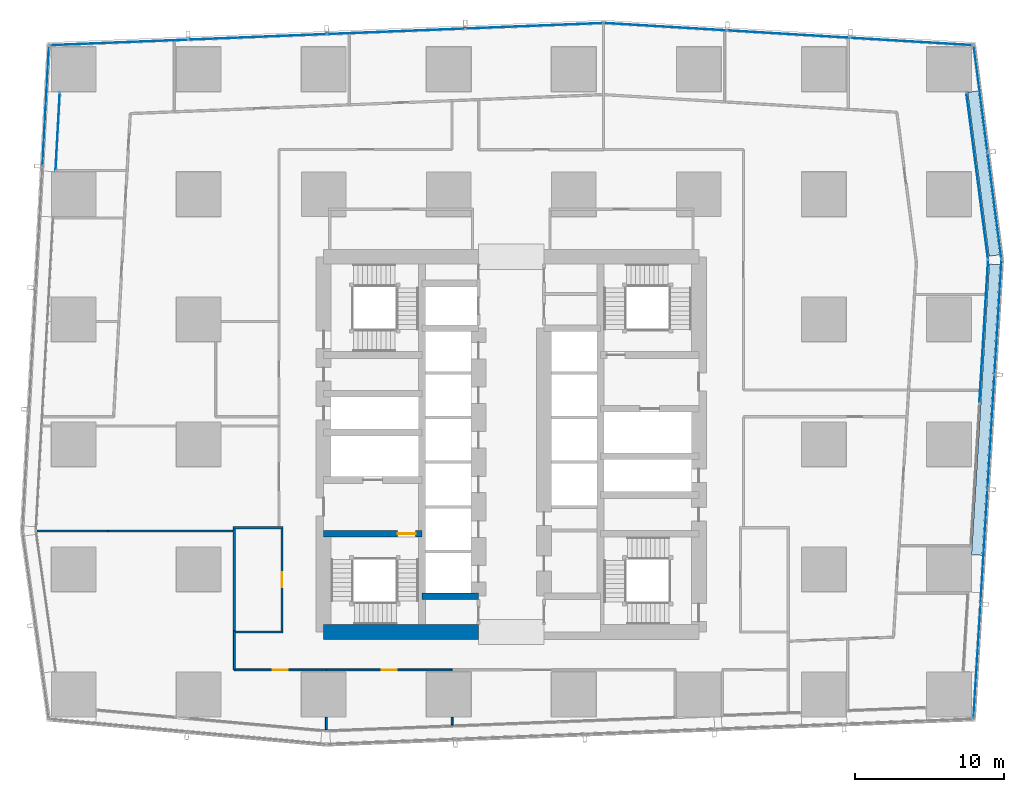
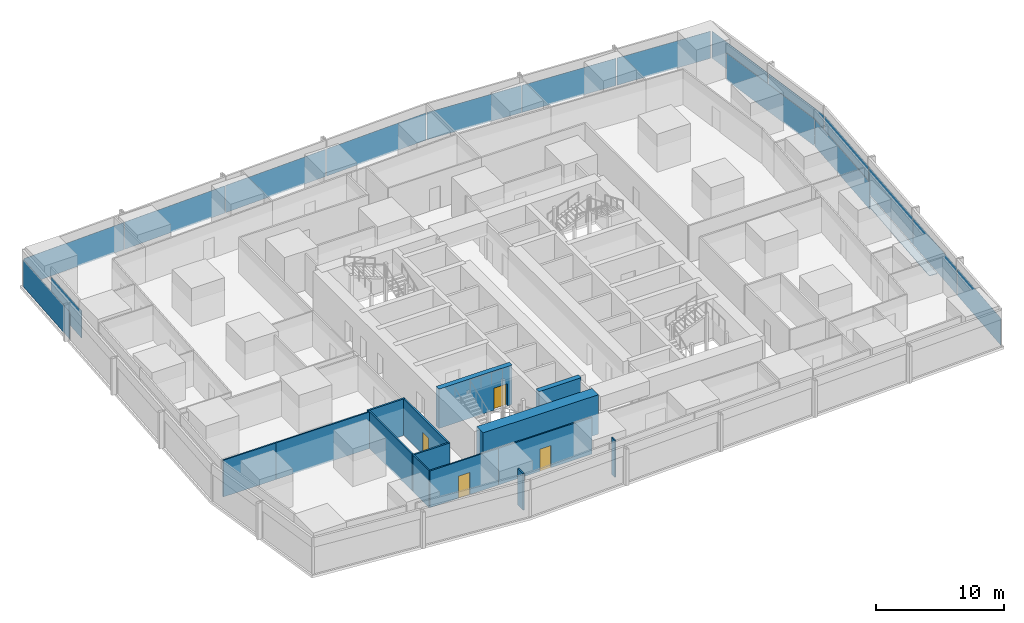
# One storey, part 28 of 39: 19 plates, 14 walls, 4 doors, 4 openings, 8 elements without a shape of their own.
"""IFC4 building model written with IfcOpenShell, lengths in metres."""

from ifc_helpers import new_model, si_unit, direction, frame, frame_2d, origin, origin_2d, place, context, subcontext, project, spatial, rectangle, extrude, material, layer, layer_set, type_object, element, fill, aggregate, save


model = new_model("IFC4")

# Units and contexts
model_context = context("Model", 3, precision=1e-05, world=origin(), true_north=direction((0.0, 1.0)))
body_context = subcontext(model_context, "Body", "Model", "MODEL_VIEW")
ifc_project = project(units=[si_unit("LENGTHUNIT", "METRE"), si_unit("AREAUNIT", "SQUARE_METRE"), si_unit("VOLUMEUNIT", "CUBIC_METRE"), si_unit("PLANEANGLEUNIT", "RADIAN"), si_unit("MASSUNIT", "GRAM", prefix="KILO")], contexts=[model_context])

# Site, building, storey
site_placement = place(None, origin())
site = spatial("IfcSite", under=ifc_project, at=site_placement, CompositionType="ELEMENT")
building_placement = place(site_placement, origin())
building = spatial("IfcBuilding", under=site, at=building_placement, Name="Rekha Terrace Tower", CompositionType="ELEMENT")
storey_placement = place(building_placement, frame((0.0, 0.0, 155.300048828125)))
storey = spatial("IfcBuildingStorey", under=building, at=storey_placement, Name="L39", CompositionType="ELEMENT", Elevation=155.300048828125)

# Curtain wall, plate
ifc_material_1 = material(Name="Aluminium framing", Category="aluminium")
curtain_wall_type_1 = type_object("IfcCurtainWallType", Name="CW1 double skin inner glazing", PredefinedType="USERDEFINED", material=ifc_material_1)
curtain_wall_1_placement = place(storey_placement, origin())
curtain_wall_1 = element("IfcCurtainWall", 1, at=curtain_wall_1_placement, inside=storey, type_object=curtain_wall_type_1, Name="CW1 double skin inner glazing", ObjectType="DOUBLE SKIN INNER GLAZING", PredefinedType="USERDEFINED")
ifc_material_2 = material(Name="Double-glazed low-e unit 32", Category="glass")
ifc_layer_1 = layer(ifc_material_2, 0.031982421875)
ifc_layer_set_1 = layer_set([ifc_layer_1], Name="Double-glazed low-e unit 32")
plate_type_1 = type_object("IfcPlateType", Name="CW1 jumbo vision panel, double-glazed low-e unit 32", PredefinedType="CURTAIN_PANEL", material=ifc_layer_set_1)
plate_1_placement = place(storey_placement, frame((69.5419921875, 41.175537109375, 0.0), z_axis=(0.0, 0.0, 1.0), x_axis=(0.061159803148, 0.998127987023, 0.0)))
plate_1 = element("IfcPlate", 2, at=plate_1_placement, type_object=plate_type_1, Name="CW1 panel 2.1", PredefinedType="CURTAIN_PANEL", context=body_context, shape_type="SweptSolid", body=[
    extrude(rectangle(XDim=9.610107421875, YDim=0.031982421875, at=origin_2d()), origin(), (0.0, 0.0, 1.0), 2.60009765625),
])
aggregate(curtain_wall_1, [plate_1])

curtain_wall_2_placement = place(storey_placement, origin())
curtain_wall_2 = element("IfcCurtainWall", 3, at=curtain_wall_2_placement, inside=storey, type_object=curtain_wall_type_1, Name="CW1 double skin inner glazing", ObjectType="DOUBLE SKIN INNER GLAZING", PredefinedType="USERDEFINED")
plate_2_placement = place(storey_placement, frame((69.100341796875, 51.619873046875, 0.0), z_axis=(0.0, 0.0, 1.0), x_axis=(-0.129118383641, 0.991629186242, 0.0)))
plate_2 = element("IfcPlate", 4, at=plate_2_placement, type_object=plate_type_1, Name="CW1 panel 1.1", PredefinedType="CURTAIN_PANEL", context=body_context, shape_type="SweptSolid", body=[
    extrude(rectangle(XDim=11.26171875, YDim=0.031982421875, at=origin_2d()), origin(), (0.0, 0.0, 1.0), 2.60009765625),
])
aggregate(curtain_wall_2, [plate_2])

curtain_wall_3_placement = place(storey_placement, origin())
curtain_wall_3 = element("IfcCurtainWall", 5, at=curtain_wall_3_placement, inside=storey, type_object=curtain_wall_type_1, Name="CW1 double skin inner glazing", ObjectType="DOUBLE SKIN INNER GLAZING", PredefinedType="USERDEFINED")
plate_3_placement = place(storey_placement, frame((7.332763671875, 54.60009765625, 0.0), z_axis=(0.0, 0.0, 1.0), x_axis=(-0.054742352777, -0.998500513176, 0.0)))
plate_3 = element("IfcPlate", 6, at=plate_3_placement, type_object=plate_type_1, Name="CW1 panel 1.1", PredefinedType="CURTAIN_PANEL", context=body_context, shape_type="SweptSolid", body=[
    extrude(rectangle(XDim=5.227783203125, YDim=0.031982421875, at=origin_2d()), origin(), (0.0, 0.0, 1.0), 2.60009765625),
])
aggregate(curtain_wall_3, [plate_3])

# Curtain wall, plates
curtain_wall_type_2 = type_object("IfcCurtainWallType", Name="CW2 double skin outer glazing", PredefinedType="USERDEFINED", material=ifc_material_1)
curtain_wall_4_placement = place(storey_placement, origin())
curtain_wall_4 = element("IfcCurtainWall", 7, at=curtain_wall_4_placement, inside=storey, type_object=curtain_wall_type_2, Name="CW2 double skin outer glazing", ObjectType="DOUBLE SKIN OUTER GLAZING", PredefinedType="USERDEFINED")
ifc_material_3 = material(Name="Toughened single glazing 12", Category="glass")
ifc_layer_2 = layer(ifc_material_3, 0.011962890625)
ifc_layer_set_2 = layer_set([ifc_layer_2], Name="Toughened single glazing 12")
plate_type_2 = type_object("IfcPlateType", Name="CW2 jumbo vision panel, toughened single glazing 12", PredefinedType="CURTAIN_PANEL", material=ifc_layer_set_2)
plate_4_placement = place(storey_placement, frame((69.086669921875, 19.0302734375, 0.0), z_axis=(0.0, 0.0, 1.0), x_axis=(0.061159803131, 0.998127987024, 0.0)))
plate_4 = element("IfcPlate", 8, at=plate_4_placement, type_object=plate_type_2, Name="CW2 panel 1.1", PredefinedType="CURTAIN_PANEL", context=body_context, shape_type="SweptSolid", body=[
    extrude(rectangle(XDim=7.6064453125, YDim=0.011962890625, at=origin_2d()), origin(), (0.0, 0.0, 1.0), 2.60009765625),
])
plate_5_placement = place(storey_placement, frame((69.557861328125, 26.722412109375, 0.0), z_axis=(0.0, 0.0, 1.0), x_axis=(0.061159803131, 0.998127987024, 0.0)))
plate_5 = element("IfcPlate", 9, at=plate_5_placement, type_object=plate_type_2, Name="CW2 panel 2.1", PredefinedType="CURTAIN_PANEL", context=body_context, shape_type="SweptSolid", body=[
    extrude(rectangle(XDim=7.646484375, YDim=0.011962890625, at=origin_2d()), origin(), (0.0, 0.0, 1.0), 2.60009765625),
])
plate_6_placement = place(storey_placement, frame((70.030517578125, 34.434326171875, 0.0), z_axis=(0.0, 0.0, 1.0), x_axis=(0.061159803131, 0.998127987024, 0.0)))
plate_6 = element("IfcPlate", 10, at=plate_6_placement, type_object=plate_type_2, Name="CW2 panel 3.1", PredefinedType="CURTAIN_PANEL", context=body_context, shape_type="SweptSolid", body=[
    extrude(rectangle(XDim=7.646484375, YDim=0.011962890625, at=origin_2d()), origin(), (0.0, 0.0, 1.0), 2.60009765625),
])
plate_7_placement = place(storey_placement, frame((70.50439453125, 42.16650390625, 0.0), z_axis=(0.0, 0.0, 1.0), x_axis=(0.061159803131, 0.998127987024, 0.0)))
plate_7 = element("IfcPlate", 11, at=plate_7_placement, type_object=plate_type_2, Name="CW2 panel 4.1", PredefinedType="CURTAIN_PANEL", context=body_context, shape_type="SweptSolid", body=[
    extrude(rectangle(XDim=7.6865234375, YDim=0.011962890625, at=origin_2d()), origin(), (0.0, 0.0, 1.0), 2.60009765625),
])
aggregate(curtain_wall_4, [plate_4, plate_5, plate_6, plate_7])

curtain_wall_5_placement = place(storey_placement, origin())
curtain_wall_5 = element("IfcCurtainWall", 12, at=curtain_wall_5_placement, inside=storey, type_object=curtain_wall_type_2, Name="CW2 double skin outer glazing", ObjectType="DOUBLE SKIN OUTER GLAZING", PredefinedType="USERDEFINED")
plate_8_placement = place(storey_placement, frame((70.2666015625, 49.6337890625, 0.0), z_axis=(0.0, 0.0, 1.0), x_axis=(-0.129118383623, 0.991629186244, 0.0)))
plate_8 = element("IfcPlate", 13, at=plate_8_placement, type_object=plate_type_2, Name="CW2 panel 1.1", PredefinedType="CURTAIN_PANEL", context=body_context, shape_type="SweptSolid", body=[
    extrude(rectangle(XDim=7.163818359375, YDim=0.011962890625, at=origin_2d()), origin(), (0.0, 0.0, 1.0), 2.60009765625),
])
plate_9_placement = place(storey_placement, frame((69.331298828125, 56.81689453125, 0.0), z_axis=(0.0, 0.0, 1.0), x_axis=(-0.129118383623, 0.991629186244, 0.0)))
plate_9 = element("IfcPlate", 14, at=plate_9_placement, type_object=plate_type_2, Name="CW2 panel 2.1", PredefinedType="CURTAIN_PANEL", context=body_context, shape_type="SweptSolid", body=[
    extrude(rectangle(XDim=7.163818359375, YDim=0.011962890625, at=origin_2d()), origin(), (0.0, 0.0, 1.0), 2.60009765625),
])
aggregate(curtain_wall_5, [plate_8, plate_9])

# Curtain wall, plate
curtain_wall_6_placement = place(storey_placement, origin())
curtain_wall_6 = element("IfcCurtainWall", 15, at=curtain_wall_6_placement, inside=storey, type_object=curtain_wall_type_2, Name="CW2 double skin outer glazing", ObjectType="DOUBLE SKIN OUTER GLAZING", PredefinedType="USERDEFINED")
plate_10_placement = place(storey_placement, frame((6.52685546875, 56.342041015625, 0.0), z_axis=(0.0, 0.0, 1.0), x_axis=(-0.054742352707, -0.99850051318, 0.0)))
plate_10 = element("IfcPlate", 16, at=plate_10_placement, type_object=plate_type_2, Name="CW2 panel 1.1", PredefinedType="CURTAIN_PANEL", context=body_context, shape_type="SweptSolid", body=[
    extrude(rectangle(XDim=8.06005859375, YDim=0.011962890625, at=origin_2d()), origin(), (0.0, 0.0, 1.0), 2.60009765625),
])
aggregate(curtain_wall_6, [plate_10])

# Curtain wall, plates
curtain_wall_type_3 = type_object("IfcCurtainWallType", Name="CW3 north unitised glazing", PredefinedType="USERDEFINED", material=ifc_material_1)
curtain_wall_7_placement = place(storey_placement, origin())
curtain_wall_7 = element("IfcCurtainWall", 17, at=curtain_wall_7_placement, inside=storey, type_object=curtain_wall_type_3, Name="CW3 unitised curtain wall", ObjectType="UNITISED CURTAIN WALL", PredefinedType="USERDEFINED")
ifc_material_4 = material(Name="Double-glazed unit 28", Category="glass")
ifc_layer_3 = layer(ifc_material_4, 0.028076171875)
ifc_layer_set_3 = layer_set([ifc_layer_3], Name="Double-glazed unit 28")
plate_type_3 = type_object("IfcPlateType", Name="CW3 jumbo vision panel, double-glazed unit 28", PredefinedType="CURTAIN_PANEL", material=ifc_layer_set_3)
plate_11_placement = place(storey_placement, frame((64.6748046875, 60.65966796875, 0.0), z_axis=(0.0, 0.0, 1.0), x_axis=(-0.998199102701, 0.059987926837, 0.0)))
plate_11 = element("IfcPlate", 18, at=plate_11_placement, type_object=plate_type_3, Name="CW3 panel 1.1", PredefinedType="CURTAIN_PANEL", context=body_context, shape_type="SweptSolid", body=[
    extrude(rectangle(XDim=8.171630859375, YDim=0.028076171875, at=origin_2d()), origin(), (0.0, 0.0, 1.0), 2.60009765625),
])
plate_12_placement = place(storey_placement, frame((56.430419921875, 61.155029296875, 0.0), z_axis=(0.0, 0.0, 1.0), x_axis=(-0.998199102701, 0.059987926837, 0.0)))
plate_12 = element("IfcPlate", 19, at=plate_12_placement, type_object=plate_type_3, Name="CW3 panel 2.1", PredefinedType="CURTAIN_PANEL", context=body_context, shape_type="SweptSolid", body=[
    extrude(rectangle(XDim=8.20654296875, YDim=0.028076171875, at=origin_2d()), origin(), (0.0, 0.0, 1.0), 2.60009765625),
])
plate_13_placement = place(storey_placement, frame((48.1513671875, 61.652587890625, 0.0), z_axis=(0.0, 0.0, 1.0), x_axis=(-0.998199102701, 0.059987926837, 0.0)))
plate_13 = element("IfcPlate", 20, at=plate_13_placement, type_object=plate_type_3, Name="CW3 panel 3.1", PredefinedType="CURTAIN_PANEL", context=body_context, shape_type="SweptSolid", body=[
    extrude(rectangle(XDim=8.24169921875, YDim=0.028076171875, at=origin_2d()), origin(), (0.0, 0.0, 1.0), 2.60009765625),
])
aggregate(curtain_wall_7, [plate_11, plate_12, plate_13])

curtain_wall_8_placement = place(storey_placement, origin())
curtain_wall_8 = element("IfcCurtainWall", 21, at=curtain_wall_8_placement, inside=storey, type_object=curtain_wall_type_3, Name="CW3 unitised curtain wall", ObjectType="UNITISED CURTAIN WALL", PredefinedType="USERDEFINED")
plate_14_placement = place(storey_placement, frame((39.364501953125, 61.71240234375, 0.0), z_axis=(0.0, 0.0, 1.0), x_axis=(-0.999198398721, -0.040031987119, 0.0)))
plate_14 = element("IfcPlate", 22, at=plate_14_placement, type_object=plate_type_3, Name="CW3 panel 1.1", PredefinedType="CURTAIN_PANEL", context=body_context, shape_type="SweptSolid", body=[
    extrude(rectangle(XDim=9.214599609375, YDim=0.028076171875, at=origin_2d()), origin(), (0.0, 0.0, 1.0), 2.60009765625),
])
plate_15_placement = place(storey_placement, frame((30.06982421875, 61.340087890625, 0.0), z_axis=(0.0, 0.0, 1.0), x_axis=(-0.999198398721, -0.040031987119, 0.0)))
plate_15 = element("IfcPlate", 23, at=plate_15_placement, type_object=plate_type_3, Name="CW3 panel 2.1", PredefinedType="CURTAIN_PANEL", context=body_context, shape_type="SweptSolid", body=[
    extrude(rectangle(XDim=9.24951171875, YDim=0.028076171875, at=origin_2d()), origin(), (0.0, 0.0, 1.0), 2.60009765625),
])
plate_16_placement = place(storey_placement, frame((20.7578125, 60.967041015625, 0.0), z_axis=(0.0, 0.0, 1.0), x_axis=(-0.999198398721, -0.040031987119, 0.0)))
plate_16 = element("IfcPlate", 24, at=plate_16_placement, type_object=plate_type_3, Name="CW3 panel 3.1", PredefinedType="CURTAIN_PANEL", context=body_context, shape_type="SweptSolid", body=[
    extrude(rectangle(XDim=9.24951171875, YDim=0.028076171875, at=origin_2d()), origin(), (0.0, 0.0, 1.0), 2.60009765625),
])
plate_17_placement = place(storey_placement, frame((11.46337890625, 60.5947265625, 0.0), z_axis=(0.0, 0.0, 1.0), x_axis=(-0.999198398721, -0.040031987119, 0.0)))
plate_17 = element("IfcPlate", 25, at=plate_17_placement, type_object=plate_type_3, Name="CW3 panel 4.1", PredefinedType="CURTAIN_PANEL", context=body_context, shape_type="SweptSolid", body=[
    extrude(rectangle(XDim=9.214599609375, YDim=0.028076171875, at=origin_2d()), origin(), (0.0, 0.0, 1.0), 2.60009765625),
])
aggregate(curtain_wall_8, [plate_14, plate_15, plate_16, plate_17])

# Plates
ifc_material_5 = material(Name="Galvanised steel open grating", Category="steel")
ifc_layer_4 = layer(ifc_material_5, 0.050048828125)
ifc_layer_set_4 = layer_set([ifc_layer_4], Name="Galvanised steel open grating")
plate_type_4 = type_object("IfcPlateType", Name="GT1 cavity walkway grating 50", PredefinedType="USERDEFINED", material=ifc_layer_set_4)
plate_18_placement = place(storey_placement, frame((69.671142578125, 35.9267578125, 0.0), z_axis=(0.0, 0.0, 1.0), x_axis=(0.061159803131, 0.998127987024, 0.0)))
element("IfcPlate", 26, at=plate_18_placement, inside=storey, type_object=plate_type_4, Name="Cavity walkway grating", ObjectType="CAVITY WALKWAY GRATING", PredefinedType="USERDEFINED", context=body_context, shape_type="SweptSolid", body=[
    extrude(rectangle(XDim=19.55859375, YDim=0.705078125, at=origin_2d()), origin(), (0.0, 0.0, 1.0), 0.050048828125),
])
plate_19_placement = place(storey_placement, frame((69.531982421875, 51.789794921875, 0.0), z_axis=(0.0, 0.0, 1.0), x_axis=(-0.129118383623, 0.991629186244, 0.0)))
element("IfcPlate", 27, at=plate_19_placement, inside=storey, type_object=plate_type_4, Name="Cavity walkway grating", ObjectType="CAVITY WALKWAY GRATING", PredefinedType="USERDEFINED", context=body_context, shape_type="SweptSolid", body=[
    extrude(rectangle(XDim=11.103271484375, YDim=0.705078125, at=origin_2d()), origin(), (0.0, 0.0, 1.0), 0.050048828125),
])

# Wall
ifc_material_6 = material(Name="Concrete M70", Category="concrete")
ifc_layer_5 = layer(ifc_material_6, 0.449951171875)
ifc_layer_set_5 = layer_set([ifc_layer_5], Name="Concrete M70")
wall_type_1 = type_object("IfcWallType", Name="CI2 450 core internal shear wall", PredefinedType="SHEAR", material=ifc_layer_set_5)
wall_1_placement = place(storey_placement, frame((31.800048828125, 23.39990234375, 0.0), z_axis=(0.0, 0.0, 1.0), x_axis=(1.0, 0.0, 0.0)))
element("IfcWall", 28, at=wall_1_placement, inside=storey, type_object=wall_type_1, Name="Core wall Y234W L39", PredefinedType="SHEAR", context=body_context, shape_type="SweptSolid", body=[
    extrude(rectangle(XDim=3.800048828125, YDim=0.449951171875, at=frame_2d((1.89990234375, 0.0))), origin(), (0.0, 0.0, 1.0), 3.75),
])

# Wall, opening, door
wall_2_placement = place(storey_placement, frame((25.199951171875, 27.60009765625, 0.0), z_axis=(0.0, 0.0, 1.0), x_axis=(1.0, 0.0, 0.0)))
wall_2 = element("IfcWall", 29, at=wall_2_placement, inside=storey, type_object=wall_type_1, Name="Core wall Y276W L39", PredefinedType="SHEAR", context=body_context, shape_type="SweptSolid", body=[
    extrude(rectangle(XDim=6.60009765625, YDim=0.449951171875, at=frame_2d((3.300048828125, 0.0))), origin(), (0.0, 0.0, 1.0), 3.75),
])
opening_1_placement = place(wall_2_placement, frame((4.97509765625, 0.0, 0.0)))
opening_1 = element("IfcOpeningElement", 30, at=opening_1_placement, cuts=wall_2, Name="Opening D1", PredefinedType="OPENING", context=body_context, shape_type="SweptSolid", body=[
    extrude(rectangle(XDim=1.199951171875, YDim=2.10009765625, at=frame_2d((0.60009765625, 1.050048828125))), frame((0.0, 0.23486328125, 0.0), z_axis=(0.0, -1.0, 0.0), x_axis=(1.0, 0.0, 0.0)), (0.0, 0.0, 1.0), 0.469970703125),
])
ifc_material_7 = material(Name="Steel fire door", Category="steel")
door_type_1 = type_object("IfcDoorType", Name="D1 1200x2100 stair fire door", OperationType="SINGLE_SWING_RIGHT", PredefinedType="DOOR", material=ifc_material_7)
door_1_placement = place(opening_1_placement, origin())
door_1 = element("IfcDoor", 31, at=door_1_placement, inside=storey, type_object=door_type_1, Name="Stair ST1 door L39", OperationType="SINGLE_SWING_RIGHT", OverallHeight=2.10009765625, OverallWidth=1.199951171875, PredefinedType="DOOR", context=body_context, shape_type="SweptSolid", body=[
    extrude(rectangle(XDim=1.199951171875, YDim=2.10009765625, at=frame_2d((0.60009765625, 1.050048828125))), frame((0.0, 0.02490234375, 0.0), z_axis=(0.0, -1.0, 0.0), x_axis=(1.0, 0.0, 0.0)), (0.0, 0.0, 1.0), 0.050048828125),
])
fill(opening_1, door_1)

# Walls
ifc_layer_6 = layer(ifc_material_6, 1.0)
ifc_layer_set_6 = layer_set([ifc_layer_6], Name="Concrete M70")
wall_type_2 = type_object("IfcWallType", Name="SW2 1000 core outer shear wall", PredefinedType="SHEAR", material=ifc_layer_set_6)
wall_3_placement = place(storey_placement, frame((25.199951171875, 21.0, 0.0), z_axis=(0.0, 0.0, 1.0), x_axis=(1.0, 0.0, 0.0)))
element("IfcWall", 32, at=wall_3_placement, inside=storey, type_object=wall_type_2, Name="Core wall S1 L39", PredefinedType="SHEAR", context=body_context, shape_type="SweptSolid", body=[
    extrude(rectangle(XDim=10.400146484375, YDim=1.0, at=frame_2d((5.2001953125, 0.0))), origin(), (0.0, 0.0, 1.0), 3.75),
])
ifc_material_8 = material(Name="Concrete block masonry, 1 hour", Category="masonry")
ifc_layer_7 = layer(ifc_material_8, 0.14990234375)
ifc_layer_set_7 = layer_set([ifc_layer_7], Name="Concrete block masonry, 1 hour")
wall_type_3 = type_object("IfcWallType", Name="WP2 150 tenancy partition", PredefinedType="PARTITIONING", material=ifc_layer_set_7)
for number, where, z_axis, x_axis, name in (
    (33, (19.125, 21.0, 0.0), (0.0, 0.0, 1.0), (1.0, 0.0, 0.0), "Men's WC wall L39"),
    (34, (19.125, 28.0, 0.0), (0.0, 0.0, 1.0), (1.0, 0.0, 0.0), "Men's WC wall L39"),
):
    element("IfcWall", number, at=place(storey_placement, frame(where, z_axis=z_axis, x_axis=x_axis)), inside=storey, type_object=wall_type_3, Name=name, PredefinedType="PARTITIONING", context=body_context, shape_type="SweptSolid", body=[
        extrude(rectangle(XDim=3.35009765625, YDim=0.14990234375, at=frame_2d((1.675048828125, 0.0))), origin(), (0.0, 0.0, 1.0), 3.5),
    ])
wall_4_placement = place(storey_placement, frame((19.199951171875, 21.074951171875, 0.0), z_axis=(0.0, 0.0, 1.0), x_axis=(0.0, 1.0, 0.0)))
element("IfcWall", 35, at=wall_4_placement, inside=storey, type_object=wall_type_3, Name="Men's WC wall L39", PredefinedType="PARTITIONING", context=body_context, shape_type="SweptSolid", body=[
    extrude(rectangle(XDim=6.85009765625, YDim=0.14990234375, at=frame_2d((3.425048828125, 0.0))), origin(), (0.0, 0.0, 1.0), 3.5),
])

# Wall, opening, door
wall_5_placement = place(storey_placement, frame((22.39990234375, 21.074951171875, 0.0), z_axis=(0.0, 0.0, 1.0), x_axis=(0.0, 1.0, 0.0)))
wall_5 = element("IfcWall", 36, at=wall_5_placement, inside=storey, type_object=wall_type_3, Name="Men's WC wall L39", PredefinedType="PARTITIONING", context=body_context, shape_type="SweptSolid", body=[
    extrude(rectangle(XDim=6.85009765625, YDim=0.14990234375, at=frame_2d((3.425048828125, 0.0))), origin(), (0.0, 0.0, 1.0), 3.5),
])
opening_2_placement = place(wall_5_placement, frame((2.925048828125, 0.0, 0.0)))
opening_2 = element("IfcOpeningElement", 37, at=opening_2_placement, cuts=wall_5, Name="Opening D3", PredefinedType="OPENING", context=body_context, shape_type="SweptSolid", body=[
    extrude(rectangle(XDim=1.0, YDim=2.10009765625, at=frame_2d((0.5, 1.050048828125))), frame((0.0, 0.0849609375, 0.0), z_axis=(0.0, -1.0, 0.0), x_axis=(1.0, 0.0, 0.0)), (0.0, 0.0, 1.0), 0.169921875),
])
ifc_material_9 = material(Name="Laminated timber fire door", Category="wood")
door_type_2 = type_object("IfcDoorType", Name="D3 1000x2100 WC door", OperationType="SINGLE_SWING_LEFT", PredefinedType="DOOR", material=ifc_material_9)
door_2_placement = place(opening_2_placement, origin())
door_2 = element("IfcDoor", 38, at=door_2_placement, inside=storey, type_object=door_type_2, Name="Door men's wc L39", OperationType="SINGLE_SWING_LEFT", OverallHeight=2.10009765625, OverallWidth=1.0, PredefinedType="DOOR", context=body_context, shape_type="SweptSolid", body=[
    extrude(rectangle(XDim=1.0, YDim=2.10009765625, at=frame_2d((0.5, 1.050048828125))), frame((0.0, 0.02490234375, 0.0), z_axis=(0.0, -1.0, 0.0), x_axis=(1.0, 0.0, 0.0)), (0.0, 0.0, 1.0), 0.050048828125),
])
fill(opening_2, door_2)

# Walls
ifc_material_10 = material(Name="Two layers of fire-rated gypsum board each side on steel studs, acoustic quilt, 1 hour", Category="steel")
ifc_layer_8 = layer(ifc_material_10, 0.125)
ifc_layer_set_8 = layer_set([ifc_layer_8], Name="Two layers of fire-rated gypsum board each side on steel studs, acoustic quilt, 1 hour")
wall_type_4 = type_object("IfcWallType", Name="WP3 125 office partition", PredefinedType="PARTITIONING", material=ifc_layer_set_8)
wall_6_placement = place(storey_placement, frame((5.948974609375, 27.781005859375, 0.0), z_axis=(0.0, 0.0, 1.0), x_axis=(1.0, 0.0, 0.0)))
element("IfcWall", 39, at=wall_6_placement, inside=storey, type_object=wall_type_4, Name="Partition L39-09", PredefinedType="PARTITIONING", context=body_context, shape_type="SweptSolid", body=[
    extrude(rectangle(XDim=4.76708984375, YDim=0.125, at=frame_2d((2.383544921875, 0.0))), origin(), (0.0, 0.0, 1.0), 3.5),
])
wall_7_placement = place(storey_placement, frame((25.37890625, 15.280029296875, 0.0), z_axis=(0.0, 0.0, 1.0), x_axis=(0.0, -1.0, 0.0)))
element("IfcWall", 40, at=wall_7_placement, inside=storey, type_object=wall_type_4, Name="Partition L39-10", PredefinedType="PARTITIONING", context=body_context, shape_type="SweptSolid", body=[
    extrude(rectangle(XDim=0.8369140625, YDim=0.125, at=frame_2d((0.41845703125, 0.0))), origin(), (0.0, 0.0, 1.0), 3.5),
])
wall_8_placement = place(storey_placement, frame((10.716064453125, 27.781005859375, 0.0), z_axis=(0.0, 0.0, 1.0), x_axis=(1.0, 0.0, 0.0)))
element("IfcWall", 41, at=wall_8_placement, inside=storey, type_object=wall_type_4, Name="Partition L39-10", PredefinedType="PARTITIONING", context=body_context, shape_type="SweptSolid", body=[
    extrude(rectangle(XDim=8.408935546875, YDim=0.125, at=frame_2d((4.20458984375, 0.0))), origin(), (0.0, 0.0, 1.0), 3.5),
])
wall_9_placement = place(storey_placement, frame((19.199951171875, 21.074951171875, 0.0), z_axis=(0.0, 0.0, 1.0), x_axis=(0.0, -1.0, 0.0)))
element("IfcWall", 42, at=wall_9_placement, inside=storey, type_object=wall_type_4, Name="Partition L39-10", PredefinedType="PARTITIONING", context=body_context, shape_type="SweptSolid", body=[
    extrude(rectangle(XDim=2.625, YDim=0.125, at=frame_2d((1.3125, 0.0))), origin(), (0.0, 0.0, 1.0), 3.5),
])

# Wall, opening, door
wall_10_placement = place(storey_placement, frame((19.199951171875, 18.449951171875, 0.0), z_axis=(0.0, 0.0, 1.0), x_axis=(1.0, 0.0, 0.0)))
wall_10 = element("IfcWall", 43, at=wall_10_placement, inside=storey, type_object=wall_type_4, Name="Partition L39-10", PredefinedType="PARTITIONING", context=body_context, shape_type="SweptSolid", body=[
    extrude(rectangle(XDim=6.178955078125, YDim=0.125, at=frame_2d((3.08935546875, 0.0))), origin(), (0.0, 0.0, 1.0), 3.5),
])
opening_3_placement = place(wall_10_placement, frame((2.590087890625, 0.0, 0.0)))
opening_3 = element("IfcOpeningElement", 44, at=opening_3_placement, cuts=wall_10, Name="Opening D9", PredefinedType="OPENING", context=body_context, shape_type="SweptSolid", body=[
    extrude(rectangle(XDim=1.0, YDim=2.10009765625, at=frame_2d((0.5, 1.050048828125))), frame((0.0, 0.072509765625, 0.0), z_axis=(0.0, -1.0, 0.0), x_axis=(1.0, 0.0, 0.0)), (0.0, 0.0, 1.0), 0.14501953125),
])
ifc_material_11 = material(Name="Timber fire door", Category="wood")
door_type_3 = type_object("IfcDoorType", Name="D9 1000x2100 office door", OperationType="SINGLE_SWING_LEFT", PredefinedType="DOOR", material=ifc_material_11)
door_3_placement = place(opening_3_placement, origin())
door_3 = element("IfcDoor", 45, at=door_3_placement, inside=storey, type_object=door_type_3, Name="Door office L39", OperationType="SINGLE_SWING_LEFT", OverallHeight=2.10009765625, OverallWidth=1.0, PredefinedType="DOOR", context=body_context, shape_type="SweptSolid", body=[
    extrude(rectangle(XDim=1.0, YDim=2.10009765625, at=frame_2d((0.5, 1.050048828125))), frame((0.0, 0.02490234375, 0.0), z_axis=(0.0, -1.0, 0.0), x_axis=(1.0, 0.0, 0.0)), (0.0, 0.0, 1.0), 0.050048828125),
])
fill(opening_3, door_3)

wall_11_placement = place(storey_placement, frame((25.3798828125, 18.449951171875, 0.0), z_axis=(0.0, 0.0, 1.0), x_axis=(1.0, 0.0, 0.0)))
wall_11 = element("IfcWall", 46, at=wall_11_placement, inside=storey, type_object=wall_type_4, Name="Partition L39-11", PredefinedType="PARTITIONING", context=body_context, shape_type="SweptSolid", body=[
    extrude(rectangle(XDim=8.445068359375, YDim=0.125, at=frame_2d((4.22265625, 0.0))), origin(), (0.0, 0.0, 1.0), 3.5),
])
opening_4_placement = place(wall_11_placement, frame((3.722900390625, 0.0, 0.0)))
opening_4 = element("IfcOpeningElement", 47, at=opening_4_placement, cuts=wall_11, Name="Opening D9", PredefinedType="OPENING", context=body_context, shape_type="SweptSolid", body=[
    extrude(rectangle(XDim=1.0, YDim=2.10009765625, at=frame_2d((0.5, 1.050048828125))), frame((0.0, 0.072509765625, 0.0), z_axis=(0.0, -1.0, 0.0), x_axis=(1.0, 0.0, 0.0)), (0.0, 0.0, 1.0), 0.14501953125),
])
door_4_placement = place(opening_4_placement, origin())
door_4 = element("IfcDoor", 48, at=door_4_placement, inside=storey, type_object=door_type_3, Name="Door quiet room L39", OperationType="SINGLE_SWING_LEFT", OverallHeight=2.10009765625, OverallWidth=1.0, PredefinedType="DOOR", context=body_context, shape_type="SweptSolid", body=[
    extrude(rectangle(XDim=1.0, YDim=2.10009765625, at=frame_2d((0.5, 1.050048828125))), frame((0.0, 0.02490234375, 0.0), z_axis=(0.0, -1.0, 0.0), x_axis=(1.0, 0.0, 0.0)), (0.0, 0.0, 1.0), 0.050048828125),
])
fill(opening_4, door_4)

# Wall
wall_12_placement = place(storey_placement, frame((33.824951171875, 15.280029296875, 0.0), z_axis=(0.0, 0.0, 1.0), x_axis=(0.0, -1.0, 0.0)))
element("IfcWall", 49, at=wall_12_placement, inside=storey, type_object=wall_type_4, Name="Partition L39-11", PredefinedType="PARTITIONING", context=body_context, shape_type="SweptSolid", body=[
    extrude(rectangle(XDim=0.5380859375, YDim=0.125, at=frame_2d((0.26904296875, 0.0))), origin(), (0.0, 0.0, 1.0), 3.5),
])

save(model, "model.ifc")
